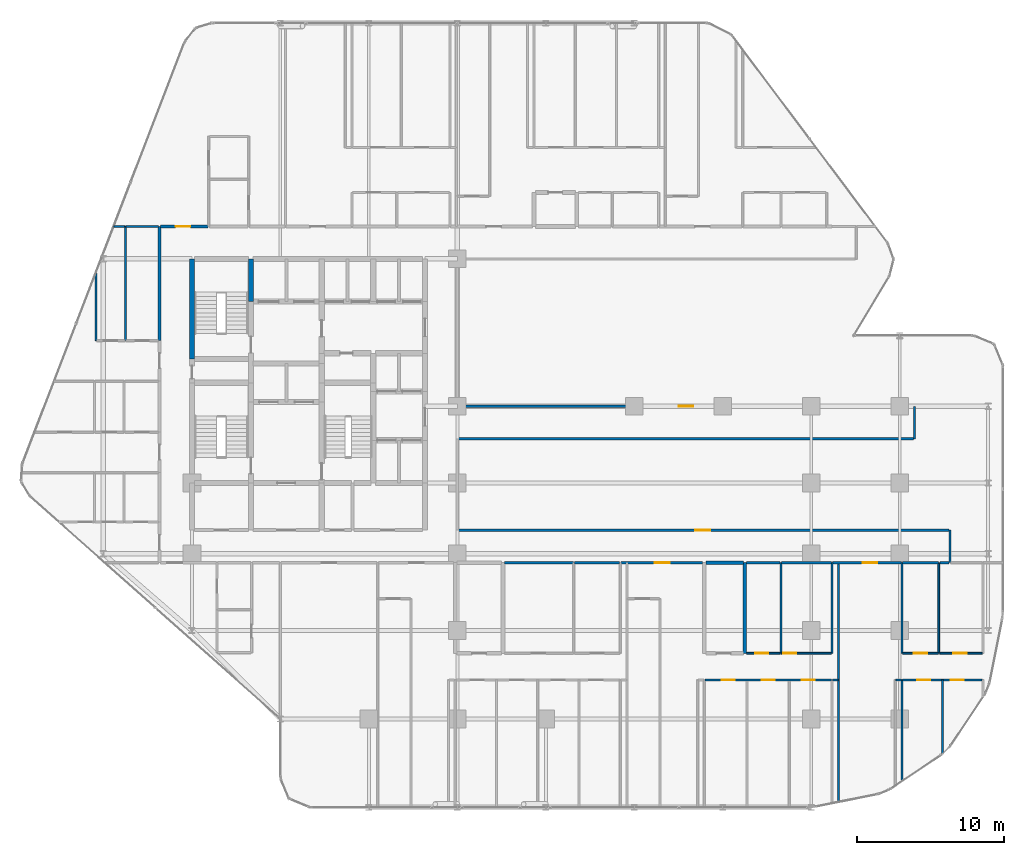
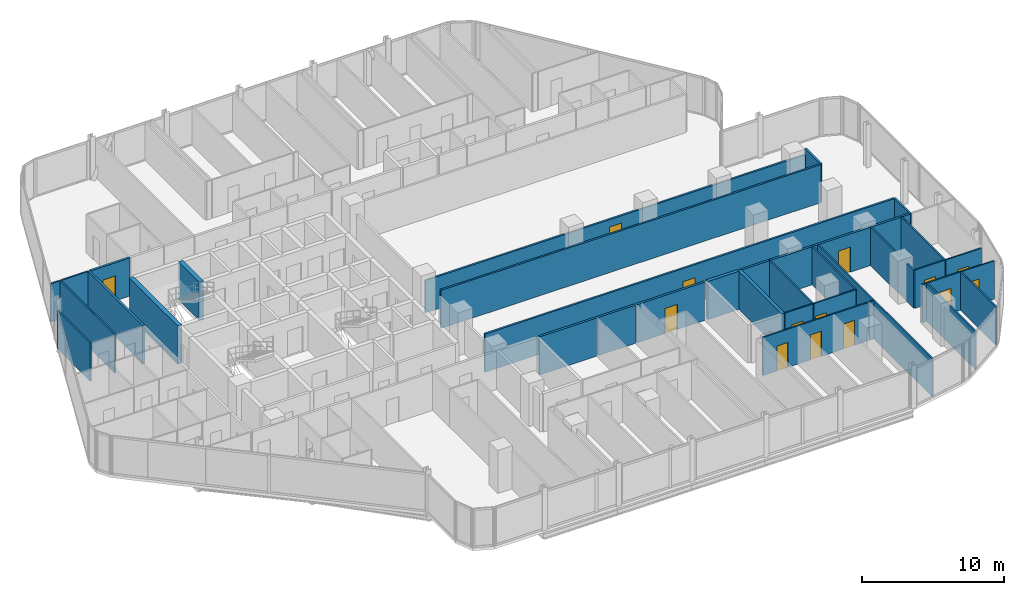
# One storey, part 29 of 33: 38 walls, 14 doors, 14 openings.
"""IFC4 building model written with IfcOpenShell, lengths in metres."""

from ifc_helpers import new_model, si_unit, direction, frame, frame_2d, origin, place, context, subcontext, project, spatial, rectangle, extrude, material, layer, layer_set, type_object, element, fill, save


model = new_model("IFC4")

# Units and contexts
model_context = context("Model", 3, precision=1e-05, world=origin(), true_north=direction((0.0, 1.0)))
body_context = subcontext(model_context, "Body", "Model", "MODEL_VIEW")
ifc_project = project(units=[si_unit("LENGTHUNIT", "METRE"), si_unit("AREAUNIT", "SQUARE_METRE"), si_unit("VOLUMEUNIT", "CUBIC_METRE"), si_unit("PLANEANGLEUNIT", "RADIAN"), si_unit("MASSUNIT", "GRAM", prefix="KILO")], contexts=[model_context])

# Site, building, storey
site_placement = place(None, origin())
site = spatial("IfcSite", under=ifc_project, at=site_placement, CompositionType="ELEMENT")
building_placement = place(site_placement, origin())
building = spatial("IfcBuilding", under=site, at=building_placement, Name="Keshet Zoharim Tower", CompositionType="ELEMENT")
storey_placement = place(building_placement, frame((0.0, 0.0, 57.300048828125)))
storey = spatial("IfcBuildingStorey", under=building, at=storey_placement, Name="L13", CompositionType="ELEMENT", Elevation=57.300048828125)

# Walls
ifc_material_1 = material(Name="Gypsum Plasterboard", Category="gypsum")
ifc_layer_1 = layer(ifc_material_1, 0.14990234375)
ifc_layer_set_1 = layer_set([ifc_layer_1], Name="Gypsum Plasterboard")
wall_type_1 = type_object("IfcWallType", Name="WL-CLIN-150", PredefinedType="STANDARD", material=ifc_layer_set_1)
wall_1_placement = place(storey_placement, frame((64.0, 25.699951171875, 0.0), z_axis=(0.0, 0.0, 1.0), x_axis=(0.0, 1.0, 0.0)))
element("IfcWall", 1, at=wall_1_placement, inside=storey, type_object=wall_type_1, Name="L13 Interior Wall 119", PredefinedType="STANDARD", context=body_context, shape_type="SweptSolid", body=[
    extrude(rectangle(XDim=2.199951171875, YDim=0.14990234375, at=frame_2d((1.10009765625, 0.0))), origin(), (0.0, 0.0, 1.0), 3.280029296875),
])
wall_2_placement = place(storey_placement, frame((66.39990234375, 17.31005859375, 0.0), z_axis=(0.0, 0.0, 1.0), x_axis=(0.0, 1.0, 0.0)))
element("IfcWall", 2, at=wall_2_placement, inside=storey, type_object=wall_type_1, Name="L13 Interior Wall 122", PredefinedType="STANDARD", context=body_context, shape_type="SweptSolid", body=[
    extrude(rectangle(XDim=2.18994140625, YDim=0.14990234375, at=frame_2d((1.094970703125, 0.0))), origin(), (0.0, 0.0, 1.0), 3.280029296875),
])

# Wall, opening, door
wall_3_placement = place(storey_placement, frame((33.070068359375, 19.5, 0.0), z_axis=(0.0, 0.0, 1.0), x_axis=(1.0, 0.0, 0.0)))
wall_3 = element("IfcWall", 3, at=wall_3_placement, inside=storey, type_object=wall_type_1, Name="L13 Interior Wall 167", PredefinedType="STANDARD", context=body_context, shape_type="SweptSolid", body=[
    extrude(rectangle(XDim=33.27001953125, YDim=0.14990234375, at=frame_2d((16.635009765625, 0.0))), origin(), (0.0, 0.0, 1.0), 3.280029296875),
])
opening_1_placement = place(wall_3_placement, frame((16.06494140625, 0.0, 0.0)))
opening_1 = element("IfcOpeningElement", 4, at=opening_1_placement, cuts=wall_3, Name="Opening D-F310", PredefinedType="OPENING", context=body_context, shape_type="SweptSolid", body=[
    extrude(rectangle(XDim=1.0, YDim=2.14990234375, at=frame_2d((0.5, 1.074951171875))), frame((0.0, 0.0849609375, 0.0), z_axis=(0.0, -1.0, 0.0), x_axis=(1.0, 0.0, 0.0)), (0.0, 0.0, 1.0), 0.169921875),
])
ifc_material_2 = material(Name="Hardwood Timber", Category="wood")
door_type_1 = type_object("IfcDoorType", Name="DR-FD30-100", OperationType="NOTDEFINED", PredefinedType="DOOR", material=ifc_material_2)
door_1_placement = place(opening_1_placement, origin())
door_1 = element("IfcDoor", 5, at=door_1_placement, inside=storey, type_object=door_type_1, Name="L13 North East Residents Services Suite Door 1", OperationType="SINGLE_SWING_LEFT", OverallHeight=2.14990234375, OverallWidth=1.0, PredefinedType="DOOR", context=body_context, shape_type="SweptSolid", body=[
    extrude(rectangle(XDim=1.0, YDim=2.14990234375, at=frame_2d((0.5, 1.074951171875))), frame((0.0, 0.02490234375, 0.0), z_axis=(0.0, -1.0, 0.0), x_axis=(1.0, 0.0, 0.0)), (0.0, 0.0, 1.0), 0.050048828125),
])
fill(opening_1, door_1)

# Wall
wall_4_placement = place(storey_placement, frame((33.070068359375, 25.699951171875, 0.0), z_axis=(0.0, 0.0, 1.0), x_axis=(1.0, 0.0, 0.0)))
element("IfcWall", 6, at=wall_4_placement, inside=storey, type_object=wall_type_1, Name="L13 Interior Wall 180", PredefinedType="STANDARD", context=body_context, shape_type="SweptSolid", body=[
    extrude(rectangle(XDim=30.869873046875, YDim=0.14990234375, at=frame_2d((15.43505859375, 0.0))), origin(), (0.0, 0.0, 1.0), 3.280029296875),
])

# Wall, opening, door
wall_5_placement = place(storey_placement, frame((33.070068359375, 27.89990234375, 0.0), z_axis=(0.0, 0.0, 1.0), x_axis=(1.0, 0.0, 0.0)))
wall_5 = element("IfcWall", 7, at=wall_5_placement, inside=storey, type_object=wall_type_1, Name="L13 Interior Wall 184", PredefinedType="STANDARD", context=body_context, shape_type="SweptSolid", body=[
    extrude(rectangle(XDim=30.869873046875, YDim=0.14990234375, at=frame_2d((15.43505859375, 0.0))), origin(), (0.0, 0.0, 1.0), 2.780029296875),
])
opening_2_placement = place(wall_5_placement, frame((14.93505859375, 0.0, 0.0)))
opening_2 = element("IfcOpeningElement", 8, at=opening_2_placement, cuts=wall_5, Name="Opening D-F310", PredefinedType="OPENING", context=body_context, shape_type="SweptSolid", body=[
    extrude(rectangle(XDim=1.0, YDim=2.14990234375, at=frame_2d((0.5, 1.074951171875))), frame((0.0, 0.0849609375, 0.0), z_axis=(0.0, -1.0, 0.0), x_axis=(1.0, 0.0, 0.0)), (0.0, 0.0, 1.0), 0.169921875),
])
door_2_placement = place(opening_2_placement, origin())
door_2 = element("IfcDoor", 9, at=door_2_placement, inside=storey, type_object=door_type_1, Name="L13 North East Residents Services Suite Door 2", OperationType="SINGLE_SWING_LEFT", OverallHeight=2.14990234375, OverallWidth=1.0, PredefinedType="DOOR", context=body_context, shape_type="SweptSolid", body=[
    extrude(rectangle(XDim=1.0, YDim=2.14990234375, at=frame_2d((0.5, 1.074951171875))), frame((0.0, 0.02490234375, 0.0), z_axis=(0.0, -1.0, 0.0), x_axis=(1.0, 0.0, 0.0)), (0.0, 0.0, 1.0), 0.050048828125),
])
fill(opening_2, door_2)

# Walls
ifc_material_3 = material(Name="Concrete C60/75", Category="concrete")
ifc_layer_2 = layer(ifc_material_3, 0.35009765625)
ifc_layer_set_2 = layer_set([ifc_layer_2], Name="Concrete C60/75")
wall_type_2 = type_object("IfcWallType", Name="WL-CORE-350", PredefinedType="SHEAR", material=ifc_layer_set_2)
wall_6_placement = place(storey_placement, frame((15.0, 31.10009765625, 0.0), z_axis=(0.0, 0.0, 1.0), x_axis=(0.0, 1.0, 0.0)))
element("IfcWall", 10, at=wall_6_placement, inside=storey, type_object=wall_type_2, Name="L13 Core Shear Wall 016", PredefinedType="SHEAR", context=body_context, shape_type="SweptSolid", body=[
    extrude(rectangle(XDim=6.7998046875, YDim=0.35009765625, at=frame_2d((3.39990234375, 0.0))), origin(), (0.0, 0.0, 1.0), 3.280029296875),
])
wall_7_placement = place(storey_placement, frame((19.0, 35.0, 0.0), z_axis=(0.0, 0.0, 1.0), x_axis=(0.0, 1.0, 0.0)))
element("IfcWall", 11, at=wall_7_placement, inside=storey, type_object=wall_type_2, Name="L13 Core Shear Wall 027", PredefinedType="SHEAR", context=body_context, shape_type="SweptSolid", body=[
    extrude(rectangle(XDim=2.89990234375, YDim=0.35009765625, at=frame_2d((1.449951171875, 0.0))), origin(), (0.0, 0.0, 1.0), 3.280029296875),
])
ifc_layer_3 = layer(ifc_material_1, 0.179931640625)
ifc_layer_set_3 = layer_set([ifc_layer_3], Name="Gypsum Plasterboard")
wall_type_3 = type_object("IfcWallType", Name="WL-CORR-180", PredefinedType="STANDARD", material=ifc_layer_set_3)
wall_8_placement = place(storey_placement, frame((12.800048828125, 32.360107421875, 0.0), z_axis=(0.0, 0.0, 1.0), x_axis=(0.0, 1.0, 0.0)))
element("IfcWall", 12, at=wall_8_placement, inside=storey, type_object=wall_type_3, Name="L13 Interior Wall 012", PredefinedType="STANDARD", context=body_context, shape_type="SweptSolid", body=[
    extrude(rectangle(XDim=7.739990234375, YDim=0.179931640625, at=frame_2d((3.8701171875, 0.0))), origin(), (0.0, 0.0, 1.0), 3.280029296875),
])
wall_9_placement = place(storey_placement, frame((36.2080078125, 17.300048828125, 0.0), z_axis=(0.0, 0.0, 1.0), x_axis=(1.0, 0.0, 0.0)))
element("IfcWall", 13, at=wall_9_placement, inside=storey, type_object=wall_type_3, Name="L13 Interior Wall 152", PredefinedType="STANDARD", context=body_context, shape_type="SweptSolid", body=[
    extrude(rectangle(XDim=4.660888671875, YDim=0.179931640625, at=frame_2d((2.33056640625, 0.0))), origin(), (0.0, 0.0, 1.0), 3.280029296875),
])
wall_10_placement = place(storey_placement, frame((40.958984375, 17.300048828125, 0.0), z_axis=(0.0, 0.0, 1.0), x_axis=(1.0, 0.0, 0.0)))
element("IfcWall", 14, at=wall_10_placement, inside=storey, type_object=wall_type_3, Name="L13 Interior Wall 153", PredefinedType="STANDARD", context=body_context, shape_type="SweptSolid", body=[
    extrude(rectangle(XDim=3.0458984375, YDim=0.179931640625, at=frame_2d((1.52294921875, 0.0))), origin(), (0.0, 0.0, 1.0), 3.280029296875),
])

# Wall, opening, door
wall_11_placement = place(storey_placement, frame((44.094970703125, 17.300048828125, 0.0), z_axis=(0.0, 0.0, 1.0), x_axis=(1.0, 0.0, 0.0)))
wall_11 = element("IfcWall", 15, at=wall_11_placement, inside=storey, type_object=wall_type_3, Name="L13 Interior Wall 154", PredefinedType="STANDARD", context=body_context, shape_type="SweptSolid", body=[
    extrude(rectangle(XDim=5.544921875, YDim=0.179931640625, at=frame_2d((2.7724609375, 0.0))), origin(), (0.0, 0.0, 1.0), 3.280029296875),
])
opening_3_placement = place(wall_11_placement, frame((2.304931640625, 0.0, 0.0)))
opening_3 = element("IfcOpeningElement", 16, at=opening_3_placement, cuts=wall_11, Name="Opening D-F310", PredefinedType="OPENING", context=body_context, shape_type="SweptSolid", body=[
    extrude(rectangle(XDim=1.0, YDim=2.14990234375, at=frame_2d((0.5, 1.074951171875))), frame((0.0, 0.10009765625, 0.0), z_axis=(0.0, -1.0, 0.0), x_axis=(1.0, 0.0, 0.0)), (0.0, 0.0, 1.0), 0.199951171875),
])
door_3_placement = place(opening_3_placement, origin())
door_3 = element("IfcDoor", 17, at=door_3_placement, inside=storey, type_object=door_type_1, Name="Apartment 1303 Entrance Door", OperationType="SINGLE_SWING_LEFT", OverallHeight=2.14990234375, OverallWidth=1.0, PredefinedType="DOOR", context=body_context, shape_type="SweptSolid", body=[
    extrude(rectangle(XDim=1.0, YDim=2.14990234375, at=frame_2d((0.5, 1.074951171875))), frame((0.0, 0.02490234375, 0.0), z_axis=(0.0, -1.0, 0.0), x_axis=(1.0, 0.0, 0.0)), (0.0, 0.0, 1.0), 0.050048828125),
])
fill(opening_3, door_3)

# Walls
wall_12_placement = place(storey_placement, frame((52.614013671875, 17.300048828125, 0.0), z_axis=(0.0, 0.0, 1.0), x_axis=(1.0, 0.0, 0.0)))
element("IfcWall", 18, at=wall_12_placement, inside=storey, type_object=wall_type_3, Name="L13 Interior Wall 156", PredefinedType="STANDARD", context=body_context, shape_type="SweptSolid", body=[
    extrude(rectangle(XDim=2.27001953125, YDim=0.179931640625, at=frame_2d((1.135009765625, 0.0))), origin(), (0.0, 0.0, 1.0), 3.280029296875),
])
wall_13_placement = place(storey_placement, frame((54.97412109375, 17.300048828125, 0.0), z_axis=(0.0, 0.0, 1.0), x_axis=(1.0, 0.0, 0.0)))
element("IfcWall", 19, at=wall_13_placement, inside=storey, type_object=wall_type_3, Name="L13 Interior Wall 157", PredefinedType="STANDARD", context=body_context, shape_type="SweptSolid", body=[
    extrude(rectangle(XDim=3.390869140625, YDim=0.179931640625, at=frame_2d((1.6953125, 0.0))), origin(), (0.0, 0.0, 1.0), 3.280029296875),
])

# Wall, opening, door
wall_14_placement = place(storey_placement, frame((58.455078125, 17.300048828125, 0.0), z_axis=(0.0, 0.0, 1.0), x_axis=(1.0, 0.0, 0.0)))
wall_14 = element("IfcWall", 20, at=wall_14_placement, inside=storey, type_object=wall_type_3, Name="L13 Interior Wall 158", PredefinedType="STANDARD", context=body_context, shape_type="SweptSolid", body=[
    extrude(rectangle(XDim=4.64990234375, YDim=0.179931640625, at=frame_2d((2.324951171875, 0.0))), origin(), (0.0, 0.0, 1.0), 3.280029296875),
])
opening_4_placement = place(wall_14_placement, frame((2.02490234375, 0.0, 0.0)))
opening_4 = element("IfcOpeningElement", 21, at=opening_4_placement, cuts=wall_14, Name="Opening D-F310", PredefinedType="OPENING", context=body_context, shape_type="SweptSolid", body=[
    extrude(rectangle(XDim=1.0, YDim=2.14990234375, at=frame_2d((0.5, 1.074951171875))), frame((0.0, 0.10009765625, 0.0), z_axis=(0.0, -1.0, 0.0), x_axis=(1.0, 0.0, 0.0)), (0.0, 0.0, 1.0), 0.199951171875),
])
door_4_placement = place(opening_4_placement, origin())
door_4 = element("IfcDoor", 22, at=door_4_placement, inside=storey, type_object=door_type_1, Name="Apartment 1304 Entrance Door", OperationType="SINGLE_SWING_RIGHT", OverallHeight=2.14990234375, OverallWidth=1.0, PredefinedType="DOOR", context=body_context, shape_type="SweptSolid", body=[
    extrude(rectangle(XDim=1.0, YDim=2.14990234375, at=frame_2d((0.5, 1.074951171875))), frame((0.0, 0.02490234375, 0.0), z_axis=(0.0, -1.0, 0.0), x_axis=(1.0, 0.0, 0.0)), (0.0, 0.0, 1.0), 0.050048828125),
])
fill(opening_4, door_4)

# Walls
wall_15_placement = place(storey_placement, frame((63.195068359375, 17.300048828125, 0.0), z_axis=(0.0, 0.0, 1.0), x_axis=(1.0, 0.0, 0.0)))
element("IfcWall", 23, at=wall_15_placement, inside=storey, type_object=wall_type_3, Name="L13 Interior Wall 159", PredefinedType="STANDARD", context=body_context, shape_type="SweptSolid", body=[
    extrude(rectangle(XDim=2.430908203125, YDim=0.179931640625, at=frame_2d((1.21533203125, 0.0))), origin(), (0.0, 0.0, 1.0), 3.280029296875),
])
wall_16_placement = place(storey_placement, frame((65.716064453125, 17.300048828125, 0.0), z_axis=(0.0, 0.0, 1.0), x_axis=(1.0, 0.0, 0.0)))
element("IfcWall", 24, at=wall_16_placement, inside=storey, type_object=wall_type_3, Name="L13 Interior Wall 160", PredefinedType="STANDARD", context=body_context, shape_type="SweptSolid", body=[
    extrude(rectangle(XDim=0.6240234375, YDim=0.179931640625, at=frame_2d((0.31201171875, 0.0))), origin(), (0.0, 0.0, 1.0), 3.280029296875),
])

# Wall, opening, door
wall_17_placement = place(storey_placement, frame((12.875, 40.10009765625, 0.0), z_axis=(0.0, 0.0, 1.0), x_axis=(1.0, 0.0, 0.0)))
wall_17 = element("IfcWall", 25, at=wall_17_placement, inside=storey, type_object=wall_type_3, Name="L13 Interior Wall 204", PredefinedType="STANDARD", context=body_context, shape_type="SweptSolid", body=[
    extrude(rectangle(XDim=3.22998046875, YDim=0.179931640625, at=frame_2d((1.614990234375, 0.0))), origin(), (0.0, 0.0, 1.0), 3.280029296875),
])
opening_5_placement = place(wall_17_placement, frame((1.029052734375, 0.0, 0.0)))
opening_5 = element("IfcOpeningElement", 26, at=opening_5_placement, cuts=wall_17, Name="Opening D-F310", PredefinedType="OPENING", context=body_context, shape_type="SweptSolid", body=[
    extrude(rectangle(XDim=1.0, YDim=2.14990234375, at=frame_2d((0.5, 1.074951171875))), frame((0.0, 0.10009765625, 0.0), z_axis=(0.0, -1.0, 0.0), x_axis=(1.0, 0.0, 0.0)), (0.0, 0.0, 1.0), 0.199951171875),
])
door_5_placement = place(opening_5_placement, origin())
door_5 = element("IfcDoor", 27, at=door_5_placement, inside=storey, type_object=door_type_1, Name="Apartment 1305 Entrance Door", OperationType="SINGLE_SWING_LEFT", OverallHeight=2.14990234375, OverallWidth=1.0, PredefinedType="DOOR", context=body_context, shape_type="SweptSolid", body=[
    extrude(rectangle(XDim=1.0, YDim=2.14990234375, at=frame_2d((0.5, 1.074951171875))), frame((0.0, 0.02490234375, 0.0), z_axis=(0.0, -1.0, 0.0), x_axis=(1.0, 0.0, 0.0)), (0.0, 0.0, 1.0), 0.050048828125),
])
fill(opening_5, door_5)

# Walls
ifc_material_4 = material(Name="Concrete C50/60", Category="concrete")
ifc_layer_4 = layer(ifc_material_4, 0.25)
ifc_layer_set_4 = layer_set([ifc_layer_4], Name="Concrete C50/60")
wall_type_4 = type_object("IfcWallType", Name="WL-MAMAD-250", PredefinedType="STANDARD", material=ifc_layer_set_4)
wall_18_placement = place(storey_placement, frame((52.5, 11.14990234375, 0.0), z_axis=(0.0, 0.0, 1.0), x_axis=(0.0, 1.0, 0.0)))
element("IfcWall", 28, at=wall_18_placement, inside=storey, type_object=wall_type_4, Name="L13 Interior Wall 106", PredefinedType="STANDARD", context=body_context, shape_type="SweptSolid", body=[
    extrude(rectangle(XDim=6.150146484375, YDim=0.25, at=frame_2d((3.0751953125, 0.0))), origin(), (0.0, 0.0, 1.0), 3.280029296875),
])
wall_19_placement = place(storey_placement, frame((49.860107421875, 17.300048828125, 0.0), z_axis=(0.0, 0.0, 1.0), x_axis=(1.0, 0.0, 0.0)))
element("IfcWall", 29, at=wall_19_placement, inside=storey, type_object=wall_type_4, Name="L13 Interior Wall 155", PredefinedType="STANDARD", context=body_context, shape_type="SweptSolid", body=[
    extrude(rectangle(XDim=2.533935546875, YDim=0.25, at=frame_2d((1.26708984375, 0.0))), origin(), (0.0, 0.0, 1.0), 3.280029296875),
])
ifc_layer_5 = layer(ifc_material_1, 0.1201171875)
ifc_layer_set_5 = layer_set([ifc_layer_5], Name="Gypsum Plasterboard")
wall_type_5 = type_object("IfcWallType", Name="WL-PART-120", PredefinedType="PARTITIONING", material=ifc_layer_set_5)
wall_20_placement = place(storey_placement, frame((8.5, 32.360107421875, 0.0), z_axis=(0.0, 0.0, 1.0), x_axis=(0.0, 1.0, 0.0)))
element("IfcWall", 30, at=wall_20_placement, inside=storey, type_object=wall_type_5, Name="L13 Interior Wall 003", PredefinedType="PARTITIONING", context=body_context, shape_type="SweptSolid", body=[
    extrude(rectangle(XDim=4.6298828125, YDim=0.1201171875, at=frame_2d((2.31494140625, 0.0))), origin(), (0.0, 0.0, 1.0), 3.280029296875),
])
wall_21_placement = place(storey_placement, frame((58.39990234375, 11.14990234375, 0.0), z_axis=(0.0, 0.0, 1.0), x_axis=(0.0, 1.0, 0.0)))
element("IfcWall", 31, at=wall_21_placement, inside=storey, type_object=wall_type_5, Name="L13 Interior Wall 113", PredefinedType="PARTITIONING", context=body_context, shape_type="SweptSolid", body=[
    extrude(rectangle(XDim=6.150146484375, YDim=0.1201171875, at=frame_2d((3.0751953125, 0.0))), origin(), (0.0, 0.0, 1.0), 3.280029296875),
])
wall_22_placement = place(storey_placement, frame((58.85009765625, 1.077880859375, 0.0), z_axis=(0.0, 0.0, 1.0), x_axis=(0.0, 1.0, 0.0)))
element("IfcWall", 32, at=wall_22_placement, inside=storey, type_object=wall_type_5, Name="L13 Interior Wall 114", PredefinedType="PARTITIONING", context=body_context, shape_type="SweptSolid", body=[
    extrude(rectangle(XDim=16.22216796875, YDim=0.1201171875, at=frame_2d((8.111083984375, 0.0))), origin(), (0.0, 0.0, 1.0), 3.280029296875),
])
wall_23_placement = place(storey_placement, frame((63.14990234375, 2.485107421875, 0.0), z_axis=(0.0, 0.0, 1.0), x_axis=(0.0, 1.0, 0.0)))
element("IfcWall", 33, at=wall_23_placement, inside=storey, type_object=wall_type_5, Name="L13 Interior Wall 117", PredefinedType="PARTITIONING", context=body_context, shape_type="SweptSolid", body=[
    extrude(rectangle(XDim=6.864990234375, YDim=0.1201171875, at=frame_2d((3.4326171875, 0.0))), origin(), (0.0, 0.0, 1.0), 3.280029296875),
])
wall_24_placement = place(storey_placement, frame((63.14990234375, 11.14990234375, 0.0), z_axis=(0.0, 0.0, 1.0), x_axis=(0.0, 1.0, 0.0)))
element("IfcWall", 34, at=wall_24_placement, inside=storey, type_object=wall_type_5, Name="L13 Interior Wall 118", PredefinedType="PARTITIONING", context=body_context, shape_type="SweptSolid", body=[
    extrude(rectangle(XDim=6.150146484375, YDim=0.1201171875, at=frame_2d((3.0751953125, 0.0))), origin(), (0.0, 0.0, 1.0), 3.280029296875),
])
wall_25_placement = place(storey_placement, frame((65.89990234375, 4.3349609375, 0.0), z_axis=(0.0, 0.0, 1.0), x_axis=(0.0, 1.0, 0.0)))
element("IfcWall", 35, at=wall_25_placement, inside=storey, type_object=wall_type_5, Name="L13 Interior Wall 121", PredefinedType="PARTITIONING", context=body_context, shape_type="SweptSolid", body=[
    extrude(rectangle(XDim=5.01513671875, YDim=0.1201171875, at=frame_2d((2.507568359375, 0.0))), origin(), (0.0, 0.0, 1.0), 3.280029296875),
])

# Wall, openings, doors
wall_26_placement = place(storey_placement, frame((49.794921875, 9.35009765625, 0.0), z_axis=(0.0, 0.0, 1.0), x_axis=(1.0, 0.0, 0.0)))
wall_26 = element("IfcWall", 36, at=wall_26_placement, inside=storey, type_object=wall_type_5, Name="L13 Interior Wall 129", PredefinedType="PARTITIONING", context=body_context, shape_type="SweptSolid", body=[
    extrude(rectangle(XDim=8.570068359375, YDim=0.1201171875, at=frame_2d((4.28515625, 0.0))), origin(), (0.0, 0.0, 1.0), 3.280029296875),
])
opening_6_placement = place(wall_26_placement, frame((1.1240234375, 0.0, 0.0)))
opening_6 = element("IfcOpeningElement", 37, at=opening_6_placement, cuts=wall_26, Name="Opening D-IN90", PredefinedType="OPENING", context=body_context, shape_type="SweptSolid", body=[
    extrude(rectangle(XDim=0.89990234375, YDim=2.14990234375, at=frame_2d((0.449951171875, 1.074951171875))), frame((0.0, 0.070068359375, 0.0), z_axis=(0.0, -1.0, 0.0), x_axis=(1.0, 0.0, 0.0)), (0.0, 0.0, 1.0), 0.14013671875),
])
opening_7_placement = place(wall_26_placement, frame((3.8349609375, 0.0, 0.0)))
opening_7 = element("IfcOpeningElement", 38, at=opening_7_placement, cuts=wall_26, Name="Opening D-IN90", PredefinedType="OPENING", context=body_context, shape_type="SweptSolid", body=[
    extrude(rectangle(XDim=0.89990234375, YDim=2.14990234375, at=frame_2d((0.449951171875, 1.074951171875))), frame((0.0, 0.070068359375, 0.0), z_axis=(0.0, -1.0, 0.0), x_axis=(1.0, 0.0, 0.0)), (0.0, 0.0, 1.0), 0.14013671875),
])
opening_8_placement = place(wall_26_placement, frame((6.547119140625, 0.0, 0.0)))
opening_8 = element("IfcOpeningElement", 39, at=opening_8_placement, cuts=wall_26, Name="Opening D-IN90", PredefinedType="OPENING", context=body_context, shape_type="SweptSolid", body=[
    extrude(rectangle(XDim=0.89990234375, YDim=2.14990234375, at=frame_2d((0.449951171875, 1.074951171875))), frame((0.0, 0.070068359375, 0.0), z_axis=(0.0, -1.0, 0.0), x_axis=(1.0, 0.0, 0.0)), (0.0, 0.0, 1.0), 0.14013671875),
])
door_type_2 = type_object("IfcDoorType", Name="DR-INT-090", OperationType="NOTDEFINED", PredefinedType="DOOR", material=ifc_material_2)
door_6_placement = place(opening_6_placement, origin())
door_6 = element("IfcDoor", 40, at=door_6_placement, inside=storey, type_object=door_type_2, Name="Apartment 1303 Bedroom 1 Door", OperationType="SINGLE_SWING_LEFT", OverallHeight=2.14990234375, OverallWidth=0.89990234375, PredefinedType="DOOR", context=body_context, shape_type="SweptSolid", body=[
    extrude(rectangle(XDim=0.89990234375, YDim=2.14990234375, at=frame_2d((0.449951171875, 1.074951171875))), frame((0.0, 0.02490234375, 0.0), z_axis=(0.0, -1.0, 0.0), x_axis=(1.0, 0.0, 0.0)), (0.0, 0.0, 1.0), 0.050048828125),
])
fill(opening_6, door_6)
door_7_placement = place(opening_7_placement, origin())
door_7 = element("IfcDoor", 41, at=door_7_placement, inside=storey, type_object=door_type_2, Name="Apartment 1303 Bedroom 2 Door", OperationType="SINGLE_SWING_RIGHT", OverallHeight=2.14990234375, OverallWidth=0.89990234375, PredefinedType="DOOR", context=body_context, shape_type="SweptSolid", body=[
    extrude(rectangle(XDim=0.89990234375, YDim=2.14990234375, at=frame_2d((0.449951171875, 1.074951171875))), frame((0.0, 0.02490234375, 0.0), z_axis=(0.0, -1.0, 0.0), x_axis=(1.0, 0.0, 0.0)), (0.0, 0.0, 1.0), 0.050048828125),
])
fill(opening_7, door_7)
door_8_placement = place(opening_8_placement, origin())
door_8 = element("IfcDoor", 42, at=door_8_placement, inside=storey, type_object=door_type_2, Name="Apartment 1303 Bedroom 3 Door", OperationType="SINGLE_SWING_LEFT", OverallHeight=2.14990234375, OverallWidth=0.89990234375, PredefinedType="DOOR", context=body_context, shape_type="SweptSolid", body=[
    extrude(rectangle(XDim=0.89990234375, YDim=2.14990234375, at=frame_2d((0.449951171875, 1.074951171875))), frame((0.0, 0.02490234375, 0.0), z_axis=(0.0, -1.0, 0.0), x_axis=(1.0, 0.0, 0.0)), (0.0, 0.0, 1.0), 0.050048828125),
])
fill(opening_8, door_8)

# Walls
for number, where, z_axis, x_axis, name in (
    (43, (58.455078125, 9.35009765625, 0.0), (0.0, 0.0, 1.0), (1.0, 0.0, 0.0), "L13 Interior Wall 130"),
    (44, (62.7451171875, 9.35009765625, 0.0), (0.0, 0.0, 1.0), (1.0, 0.0, 0.0), "L13 Interior Wall 131"),
):
    element("IfcWall", number, at=place(storey_placement, frame(where, z_axis=z_axis, x_axis=x_axis)), inside=storey, type_object=wall_type_5, Name=name, PredefinedType="PARTITIONING", context=body_context, shape_type="SweptSolid", body=[
        extrude(rectangle(XDim=0.35986328125, YDim=0.1201171875, at=frame_2d((0.179931640625, 0.0))), origin(), (0.0, 0.0, 1.0), 3.280029296875),
    ])

# Wall, openings, doors
wall_27_placement = place(storey_placement, frame((63.195068359375, 9.35009765625, 0.0), z_axis=(0.0, 0.0, 1.0), x_axis=(1.0, 0.0, 0.0)))
wall_27 = element("IfcWall", 45, at=wall_27_placement, inside=storey, type_object=wall_type_5, Name="L13 Interior Wall 132", PredefinedType="PARTITIONING", context=body_context, shape_type="SweptSolid", body=[
    extrude(rectangle(XDim=5.390869140625, YDim=0.1201171875, at=frame_2d((2.6953125, 0.0))), origin(), (0.0, 0.0, 1.0), 3.280029296875),
])
opening_9_placement = place(wall_27_placement, frame((0.97900390625, 0.0, 0.0)))
opening_9 = element("IfcOpeningElement", 46, at=opening_9_placement, cuts=wall_27, Name="Opening D-IN90", PredefinedType="OPENING", context=body_context, shape_type="SweptSolid", body=[
    extrude(rectangle(XDim=0.89990234375, YDim=2.14990234375, at=frame_2d((0.449951171875, 1.074951171875))), frame((0.0, 0.070068359375, 0.0), z_axis=(0.0, -1.0, 0.0), x_axis=(1.0, 0.0, 0.0)), (0.0, 0.0, 1.0), 0.14013671875),
])
opening_10_placement = place(wall_27_placement, frame((3.2509765625, 0.0, 0.0)))
opening_10 = element("IfcOpeningElement", 47, at=opening_10_placement, cuts=wall_27, Name="Opening D-IN90", PredefinedType="OPENING", context=body_context, shape_type="SweptSolid", body=[
    extrude(rectangle(XDim=0.89990234375, YDim=2.14990234375, at=frame_2d((0.449951171875, 1.074951171875))), frame((0.0, 0.070068359375, 0.0), z_axis=(0.0, -1.0, 0.0), x_axis=(1.0, 0.0, 0.0)), (0.0, 0.0, 1.0), 0.14013671875),
])
door_9_placement = place(opening_9_placement, origin())
door_9 = element("IfcDoor", 48, at=door_9_placement, inside=storey, type_object=door_type_2, Name="Apartment 1304 Bedroom 1 Door", OperationType="SINGLE_SWING_RIGHT", OverallHeight=2.14990234375, OverallWidth=0.89990234375, PredefinedType="DOOR", context=body_context, shape_type="SweptSolid", body=[
    extrude(rectangle(XDim=0.89990234375, YDim=2.14990234375, at=frame_2d((0.449951171875, 1.074951171875))), frame((0.0, 0.02490234375, 0.0), z_axis=(0.0, -1.0, 0.0), x_axis=(1.0, 0.0, 0.0)), (0.0, 0.0, 1.0), 0.050048828125),
])
fill(opening_9, door_9)
door_10_placement = place(opening_10_placement, origin())
door_10 = element("IfcDoor", 49, at=door_10_placement, inside=storey, type_object=door_type_2, Name="Apartment 1304 Bedroom 2 Door", OperationType="SINGLE_SWING_LEFT", OverallHeight=2.14990234375, OverallWidth=0.89990234375, PredefinedType="DOOR", context=body_context, shape_type="SweptSolid", body=[
    extrude(rectangle(XDim=0.89990234375, YDim=2.14990234375, at=frame_2d((0.449951171875, 1.074951171875))), frame((0.0, 0.02490234375, 0.0), z_axis=(0.0, -1.0, 0.0), x_axis=(1.0, 0.0, 0.0)), (0.0, 0.0, 1.0), 0.050048828125),
])
fill(opening_10, door_10)

# Wall, opening, door
wall_28_placement = place(storey_placement, frame((54.97412109375, 11.14990234375, 0.0), z_axis=(0.0, 0.0, 1.0), x_axis=(1.0, 0.0, 0.0)))
wall_28 = element("IfcWall", 50, at=wall_28_placement, inside=storey, type_object=wall_type_5, Name="L13 Interior Wall 138", PredefinedType="PARTITIONING", context=body_context, shape_type="SweptSolid", body=[
    extrude(rectangle(XDim=3.390869140625, YDim=0.1201171875, at=frame_2d((1.6953125, 0.0))), origin(), (0.0, 0.0, 1.0), 3.280029296875),
])
opening_11_placement = place(wall_28_placement, frame((0.1201171875, 0.0, 0.0)))
opening_11 = element("IfcOpeningElement", 51, at=opening_11_placement, cuts=wall_28, Name="Opening D-IN90", PredefinedType="OPENING", context=body_context, shape_type="SweptSolid", body=[
    extrude(rectangle(XDim=0.89990234375, YDim=2.14990234375, at=frame_2d((0.449951171875, 1.074951171875))), frame((0.0, 0.070068359375, 0.0), z_axis=(0.0, -1.0, 0.0), x_axis=(1.0, 0.0, 0.0)), (0.0, 0.0, 1.0), 0.14013671875),
])
door_11_placement = place(opening_11_placement, origin())
door_11 = element("IfcDoor", 52, at=door_11_placement, inside=storey, type_object=door_type_2, Name="Apartment 1303 Kitchen Door", OperationType="SINGLE_SWING_LEFT", OverallHeight=2.14990234375, OverallWidth=0.89990234375, PredefinedType="DOOR", context=body_context, shape_type="SweptSolid", body=[
    extrude(rectangle(XDim=0.89990234375, YDim=2.14990234375, at=frame_2d((0.449951171875, 1.074951171875))), frame((0.0, 0.02490234375, 0.0), z_axis=(0.0, -1.0, 0.0), x_axis=(1.0, 0.0, 0.0)), (0.0, 0.0, 1.0), 0.050048828125),
])
fill(opening_11, door_11)

wall_29_placement = place(storey_placement, frame((63.195068359375, 11.14990234375, 0.0), z_axis=(0.0, 0.0, 1.0), x_axis=(1.0, 0.0, 0.0)))
wall_29 = element("IfcWall", 53, at=wall_29_placement, inside=storey, type_object=wall_type_5, Name="L13 Interior Wall 139", PredefinedType="PARTITIONING", context=body_context, shape_type="SweptSolid", body=[
    extrude(rectangle(XDim=2.430908203125, YDim=0.1201171875, at=frame_2d((1.21533203125, 0.0))), origin(), (0.0, 0.0, 1.0), 3.280029296875),
])
opening_12_placement = place(wall_29_placement, frame((0.764892578125, 0.0, 0.0)))
opening_12 = element("IfcOpeningElement", 54, at=opening_12_placement, cuts=wall_29, Name="Opening D-IN90", PredefinedType="OPENING", context=body_context, shape_type="SweptSolid", body=[
    extrude(rectangle(XDim=0.89990234375, YDim=2.14990234375, at=frame_2d((0.449951171875, 1.074951171875))), frame((0.0, 0.070068359375, 0.0), z_axis=(0.0, -1.0, 0.0), x_axis=(1.0, 0.0, 0.0)), (0.0, 0.0, 1.0), 0.14013671875),
])
door_12_placement = place(opening_12_placement, origin())
door_12 = element("IfcDoor", 55, at=door_12_placement, inside=storey, type_object=door_type_2, Name="Apartment 1304 Kitchen Door", OperationType="SINGLE_SWING_RIGHT", OverallHeight=2.14990234375, OverallWidth=0.89990234375, PredefinedType="DOOR", context=body_context, shape_type="SweptSolid", body=[
    extrude(rectangle(XDim=0.89990234375, YDim=2.14990234375, at=frame_2d((0.449951171875, 1.074951171875))), frame((0.0, 0.02490234375, 0.0), z_axis=(0.0, -1.0, 0.0), x_axis=(1.0, 0.0, 0.0)), (0.0, 0.0, 1.0), 0.050048828125),
])
fill(opening_12, door_12)

# Walls
wall_30_placement = place(storey_placement, frame((9.701904296875, 40.10009765625, 0.0), z_axis=(0.0, 0.0, 1.0), x_axis=(1.0, 0.0, 0.0)))
element("IfcWall", 56, at=wall_30_placement, inside=storey, type_object=wall_type_5, Name="L13 Interior Wall 202", PredefinedType="PARTITIONING", context=body_context, shape_type="SweptSolid", body=[
    extrude(rectangle(XDim=0.731201171875, YDim=0.1201171875, at=frame_2d((0.36572265625, 0.0))), origin(), (0.0, 0.0, 1.0), 3.280029296875),
])
ifc_layer_6 = layer(ifc_material_1, 0.1201171875)
ifc_layer_set_6 = layer_set([ifc_layer_6], Name="Gypsum Plasterboard")
wall_type_6 = type_object("IfcWallType", Name="WL-WET-120", PredefinedType="PARTITIONING", material=ifc_layer_set_6)
wall_31_placement = place(storey_placement, frame((10.5, 32.360107421875, 0.0), z_axis=(0.0, 0.0, 1.0), x_axis=(0.0, 1.0, 0.0)))
element("IfcWall", 57, at=wall_31_placement, inside=storey, type_object=wall_type_6, Name="L13 Interior Wall 006", PredefinedType="PARTITIONING", context=body_context, shape_type="SweptSolid", body=[
    extrude(rectangle(XDim=7.739990234375, YDim=0.1201171875, at=frame_2d((3.8701171875, 0.0))), origin(), (0.0, 0.0, 1.0), 3.280029296875),
])
for number, where, z_axis, x_axis, name in (
    (58, (54.949951171875, 11.14990234375, 0.0), (0.0, 0.0, 1.0), (0.0, 1.0, 0.0), "L13 Interior Wall 108"),
    (59, (65.64990234375, 11.14990234375, 0.0), (0.0, 0.0, 1.0), (0.0, 1.0, 0.0), "L13 Interior Wall 120"),
):
    element("IfcWall", number, at=place(storey_placement, frame(where, z_axis=z_axis, x_axis=x_axis)), inside=storey, type_object=wall_type_6, Name=name, PredefinedType="PARTITIONING", context=body_context, shape_type="SweptSolid", body=[
        extrude(rectangle(XDim=6.150146484375, YDim=0.1201171875, at=frame_2d((3.0751953125, 0.0))), origin(), (0.0, 0.0, 1.0), 3.280029296875),
    ])

# Wall, opening, door
wall_32_placement = place(storey_placement, frame((52.614013671875, 11.14990234375, 0.0), z_axis=(0.0, 0.0, 1.0), x_axis=(1.0, 0.0, 0.0)))
wall_32 = element("IfcWall", 60, at=wall_32_placement, inside=storey, type_object=wall_type_6, Name="L13 Interior Wall 137", PredefinedType="PARTITIONING", context=body_context, shape_type="SweptSolid", body=[
    extrude(rectangle(XDim=2.27001953125, YDim=0.1201171875, at=frame_2d((1.135009765625, 0.0))), origin(), (0.0, 0.0, 1.0), 3.280029296875),
])
opening_13_placement = place(wall_32_placement, frame((0.580078125, 0.0, 0.0)))
opening_13 = element("IfcOpeningElement", 61, at=opening_13_placement, cuts=wall_32, Name="Opening D-WT90", PredefinedType="OPENING", context=body_context, shape_type="SweptSolid", body=[
    extrude(rectangle(XDim=0.89990234375, YDim=2.10009765625, at=frame_2d((0.449951171875, 1.050048828125))), frame((0.0, 0.070068359375, 0.0), z_axis=(0.0, -1.0, 0.0), x_axis=(1.0, 0.0, 0.0)), (0.0, 0.0, 1.0), 0.14013671875),
])
door_type_3 = type_object("IfcDoorType", Name="DR-WET-090", OperationType="NOTDEFINED", PredefinedType="DOOR", material=ifc_material_2)
door_13_placement = place(opening_13_placement, origin())
door_13 = element("IfcDoor", 62, at=door_13_placement, inside=storey, type_object=door_type_3, Name="Apartment 1303 Bathroom Door", OperationType="SINGLE_SWING_RIGHT", OverallHeight=2.10009765625, OverallWidth=0.89990234375, PredefinedType="DOOR", context=body_context, shape_type="SweptSolid", body=[
    extrude(rectangle(XDim=0.89990234375, YDim=2.10009765625, at=frame_2d((0.449951171875, 1.050048828125))), frame((0.0, 0.02490234375, 0.0), z_axis=(0.0, -1.0, 0.0), x_axis=(1.0, 0.0, 0.0)), (0.0, 0.0, 1.0), 0.050048828125),
])
fill(opening_13, door_13)

wall_33_placement = place(storey_placement, frame((65.716064453125, 11.14990234375, 0.0), z_axis=(0.0, 0.0, 1.0), x_axis=(1.0, 0.0, 0.0)))
wall_33 = element("IfcWall", 63, at=wall_33_placement, inside=storey, type_object=wall_type_6, Name="L13 Interior Wall 140", PredefinedType="PARTITIONING", context=body_context, shape_type="SweptSolid", body=[
    extrude(rectangle(XDim=2.869873046875, YDim=0.1201171875, at=frame_2d((1.43505859375, 0.0))), origin(), (0.0, 0.0, 1.0), 3.280029296875),
])
opening_14_placement = place(wall_33_placement, frame((0.9140625, 0.0, 0.0)))
opening_14 = element("IfcOpeningElement", 64, at=opening_14_placement, cuts=wall_33, Name="Opening D-WT90", PredefinedType="OPENING", context=body_context, shape_type="SweptSolid", body=[
    extrude(rectangle(XDim=0.89990234375, YDim=2.10009765625, at=frame_2d((0.449951171875, 1.050048828125))), frame((0.0, 0.070068359375, 0.0), z_axis=(0.0, -1.0, 0.0), x_axis=(1.0, 0.0, 0.0)), (0.0, 0.0, 1.0), 0.14013671875),
])
door_14_placement = place(opening_14_placement, origin())
door_14 = element("IfcDoor", 65, at=door_14_placement, inside=storey, type_object=door_type_3, Name="Apartment 1304 Bathroom Door", OperationType="SINGLE_SWING_LEFT", OverallHeight=2.10009765625, OverallWidth=0.89990234375, PredefinedType="DOOR", context=body_context, shape_type="SweptSolid", body=[
    extrude(rectangle(XDim=0.89990234375, YDim=2.10009765625, at=frame_2d((0.449951171875, 1.050048828125))), frame((0.0, 0.02490234375, 0.0), z_axis=(0.0, -1.0, 0.0), x_axis=(1.0, 0.0, 0.0)), (0.0, 0.0, 1.0), 0.050048828125),
])
fill(opening_14, door_14)

# Wall
wall_34_placement = place(storey_placement, frame((10.52294921875, 40.10009765625, 0.0), z_axis=(0.0, 0.0, 1.0), x_axis=(1.0, 0.0, 0.0)))
element("IfcWall", 66, at=wall_34_placement, inside=storey, type_object=wall_type_6, Name="L13 Interior Wall 203", PredefinedType="PARTITIONING", context=body_context, shape_type="SweptSolid", body=[
    extrude(rectangle(XDim=2.2021484375, YDim=0.1201171875, at=frame_2d((1.10107421875, 0.0))), origin(), (0.0, 0.0, 1.0), 3.280029296875),
])

save(model, "model.ifc")
